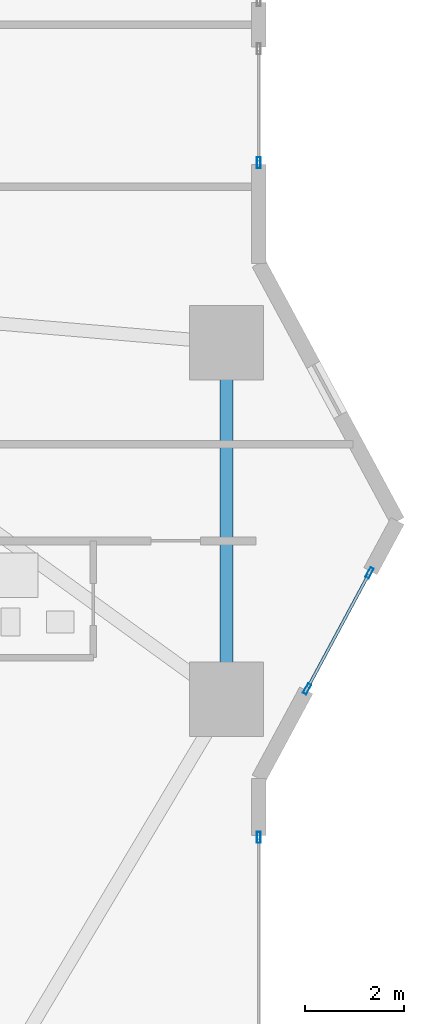
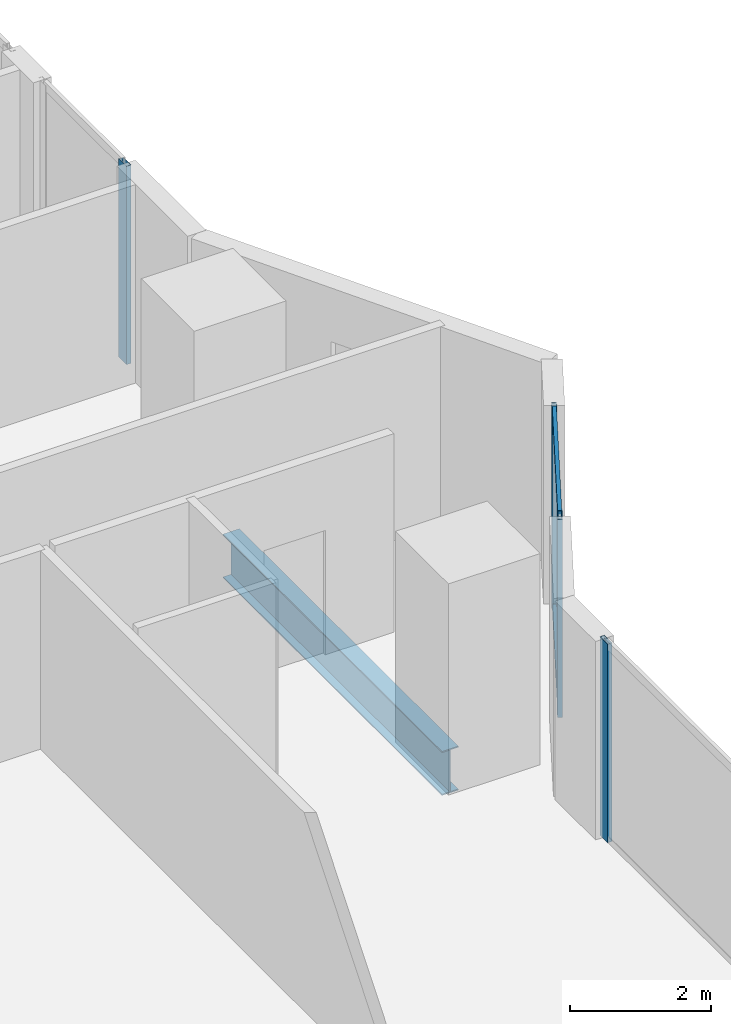
# One storey, part 12 of 28: 6 members, 1 beam, 3 elements without a shape of their own.
"""IFC4 building model written with IfcOpenShell, lengths in metres."""

from ifc_helpers import new_model, si_unit, direction, frame, origin, origin_2d, place, context, subcontext, project, spatial, hollow_rectangle, i_section, extrude, material, layer, layer_set, material_profile, profile_set, type_object, element, aggregate, save


model = new_model("IFC4")

# Units and contexts
model_context = context("Model", 3, precision=1e-05, world=origin(), true_north=direction((0.0, 1.0)))
body_context = subcontext(model_context, "Body", "Model", "MODEL_VIEW")
ifc_project = project(units=[si_unit("LENGTHUNIT", "METRE"), si_unit("AREAUNIT", "SQUARE_METRE"), si_unit("VOLUMEUNIT", "CUBIC_METRE"), si_unit("PLANEANGLEUNIT", "RADIAN"), si_unit("MASSUNIT", "GRAM", prefix="KILO")], contexts=[model_context])

# Site, building, storey
site_placement = place(None, origin())
site = spatial("IfcSite", under=ifc_project, at=site_placement, CompositionType="ELEMENT")
building_placement = place(site_placement, origin())
building = spatial("IfcBuilding", under=site, at=building_placement, Name="Zuhayl Quay Hotel", CompositionType="ELEMENT")
storey_placement = place(building_placement, frame((0.0, 0.0, 31.25)))
storey = spatial("IfcBuildingStorey", under=building, at=storey_placement, Name="L06", CompositionType="ELEMENT", Elevation=31.25)

# Beam
ifc_material_1 = material(Name="Steel ASTM A992 Grade 50", Category="steel")
ifc_material_profile_1 = material_profile(ifc_material_1, i_section(OverallWidth=0.26708984375, OverallDepth=0.761962890625, WebThickness=0.014404296875, FlangeThickness=0.021484375, at=origin_2d()), Name="W30X116")
ifc_profile_set_1 = profile_set([ifc_material_profile_1], Name="Steel ASTM A992 Grade 50")
beam_type = type_object("IfcBeamType", Name="BM_B1_W30X116", PredefinedType="BEAM", material=ifc_profile_set_1)
beam_placement = place(storey_placement, frame((25.050048828125, -3.10009765625, -0.60107421875), z_axis=(0.0, 1.0, 0.0), x_axis=(-1.0, 0.0, 0.0)))
element("IfcBeam", 1, at=beam_placement, inside=storey, type_object=beam_type, Name="L06 Floor Beam RG_L06_05", PredefinedType="BEAM", context=body_context, shape_type="SweptSolid", body=[
    extrude(i_section(OverallWidth=0.26708984375, OverallDepth=0.761962890625, WebThickness=0.014404296875, FlangeThickness=0.021484375, at=origin_2d()), origin(), (0.0, 0.0, 1.0), 6.2001953125),
])

# Curtain wall, member
ifc_material_2 = material(Name="Anodised Aluminium 6063-T6", Category="aluminium")
ifc_layer = layer(ifc_material_2, 0.18994140625, Name="Anodised Aluminium 6063-T6", Category="aluminium")
ifc_layer_set = layer_set([ifc_layer], Name="Anodised Aluminium 6063-T6")
curtain_wall_type = type_object("IfcCurtainWallType", Name="CW_SYS_Z1", PredefinedType="USERDEFINED", material=ifc_layer_set)
curtain_wall_1_placement = place(storey_placement, origin())
curtain_wall_1 = element("IfcCurtainWall", 2, at=curtain_wall_1_placement, inside=storey, type_object=curtain_wall_type, Name="L06 Curtain Wall ENV_L06_E11_CW2", ObjectType="UNITISED CURTAIN WALL", PredefinedType="USERDEFINED")
ifc_material_3 = material(Name="Black-anodised aluminium 6063-T6", Category="aluminium")
ifc_material_profile_2 = material_profile(ifc_material_3, hollow_rectangle(XDim=0.074951171875, YDim=0.219970703125, WallThickness=0.00390625, at=origin_2d()), Name="ALU220X75")
ifc_profile_set_2 = profile_set([ifc_material_profile_2], Name="Black-anodised aluminium 6063-T6")
member_type_1 = type_object("IfcMemberType", Name="MB_CW_MUL_220", PredefinedType="MULLION", material=ifc_profile_set_2)
member_1_placement = place(storey_placement, frame((25.699951171875, 7.237548828125, 0.0), z_axis=(0.0, 0.0, 1.0), x_axis=(1.0, 0.0, 0.0)))
member_1 = element("IfcMember", 3, at=member_1_placement, type_object=member_type_1, Name="CW-Z1 mullion 2", PredefinedType="MULLION", context=body_context, shape_type="SweptSolid", body=[
    extrude(hollow_rectangle(XDim=0.074951171875, YDim=0.219970703125, WallThickness=0.00390625, at=origin_2d()), origin(), (0.0, 0.0, 1.0), 3.429931640625),
])
aggregate(curtain_wall_1, [member_1])

# Curtain wall, members
curtain_wall_2_placement = place(storey_placement, origin())
curtain_wall_2 = element("IfcCurtainWall", 4, at=curtain_wall_2_placement, inside=storey, type_object=curtain_wall_type, Name="L06 Curtain Wall ENV_L06_E13_CW1", ObjectType="UNITISED CURTAIN WALL", PredefinedType="USERDEFINED")
member_2_placement = place(storey_placement, frame((27.93701171875, -1.04541015625, 0.0), z_axis=(0.0, 0.0, 1.0), x_axis=(0.880475795468, -0.474091102632, 0.0)))
member_2 = element("IfcMember", 5, at=member_2_placement, type_object=member_type_1, Name="CW-Z1 mullion 1", PredefinedType="MULLION", context=body_context, shape_type="SweptSolid", body=[
    extrude(hollow_rectangle(XDim=0.074951171875, YDim=0.219970703125, WallThickness=0.00390625, at=origin_2d()), origin(), (0.0, 0.0, 1.0), 3.429931640625),
])
member_3_placement = place(storey_placement, frame((26.67578125, -3.387939453125, 0.0), z_axis=(0.0, 0.0, 1.0), x_axis=(0.880475795468, -0.474091102632, 0.0)))
member_3 = element("IfcMember", 6, at=member_3_placement, type_object=member_type_1, Name="CW-Z1 mullion 2", PredefinedType="MULLION", context=body_context, shape_type="SweptSolid", body=[
    extrude(hollow_rectangle(XDim=0.074951171875, YDim=0.219970703125, WallThickness=0.00390625, at=origin_2d()), origin(), (0.0, 0.0, 1.0), 3.429931640625),
])

# Curtain wall, member
curtain_wall_3_placement = place(storey_placement, origin())
curtain_wall_3 = element("IfcCurtainWall", 7, at=curtain_wall_3_placement, inside=storey, type_object=curtain_wall_type, Name="L06 Curtain Wall ENV_L06_E14_CW1", ObjectType="UNITISED CURTAIN WALL", PredefinedType="USERDEFINED")
member_4_placement = place(storey_placement, frame((25.699951171875, -6.387451171875, 0.0), z_axis=(0.0, 0.0, 1.0), x_axis=(1.0, 0.0, 0.0)))
member_4 = element("IfcMember", 8, at=member_4_placement, type_object=member_type_1, Name="CW-Z1 mullion 1", PredefinedType="MULLION", context=body_context, shape_type="SweptSolid", body=[
    extrude(hollow_rectangle(XDim=0.074951171875, YDim=0.219970703125, WallThickness=0.00390625, at=origin_2d()), origin(), (0.0, 0.0, 1.0), 3.429931640625),
])
aggregate(curtain_wall_3, [member_4])

# Member
ifc_material_profile_3 = material_profile(ifc_material_3, hollow_rectangle(XDim=0.06005859375, YDim=0.14990234375, WallThickness=0.00341796875, at=origin_2d()), Name="ALU150X60")
ifc_profile_set_3 = profile_set([ifc_material_profile_3], Name="Black-anodised aluminium 6063-T6")
member_type_2 = type_object("IfcMemberType", Name="MB_CW_TRN_150", PredefinedType="USERDEFINED", material=ifc_profile_set_3)
member_5_placement = place(storey_placement, frame((27.919189453125, -1.07861328125, 0.030029296875), z_axis=(-0.474054771703, -0.880495356845, 0.0), x_axis=(0.880495356845, -0.474054771703, 0.0)))
member_5 = element("IfcMember", 9, at=member_5_placement, type_object=member_type_2, Name="CW-Z1 transom 1.1", ObjectType="TRANSOM", PredefinedType="USERDEFINED", context=body_context, shape_type="SweptSolid", body=[
    extrude(hollow_rectangle(XDim=0.06005859375, YDim=0.14990234375, WallThickness=0.00341796875, at=origin_2d()), origin(), (0.0, 0.0, 1.0), 2.585205078125),
])

member_6_placement = place(storey_placement, frame((27.919189453125, -1.07861328125, 3.39990234375), z_axis=(-0.474054771703, -0.880495356845, 0.0), x_axis=(0.880495356845, -0.474054771703, 0.0)))
member_6 = element("IfcMember", 10, at=member_6_placement, type_object=member_type_2, Name="CW-Z1 transom 1.2", ObjectType="TRANSOM", PredefinedType="USERDEFINED", context=body_context, shape_type="SweptSolid", body=[
    extrude(hollow_rectangle(XDim=0.06005859375, YDim=0.14990234375, WallThickness=0.00341796875, at=origin_2d()), origin(), (0.0, 0.0, 1.0), 2.585205078125),
])

aggregate(curtain_wall_2, [member_2, member_3, member_5, member_6])

save(model, "model.ifc")
